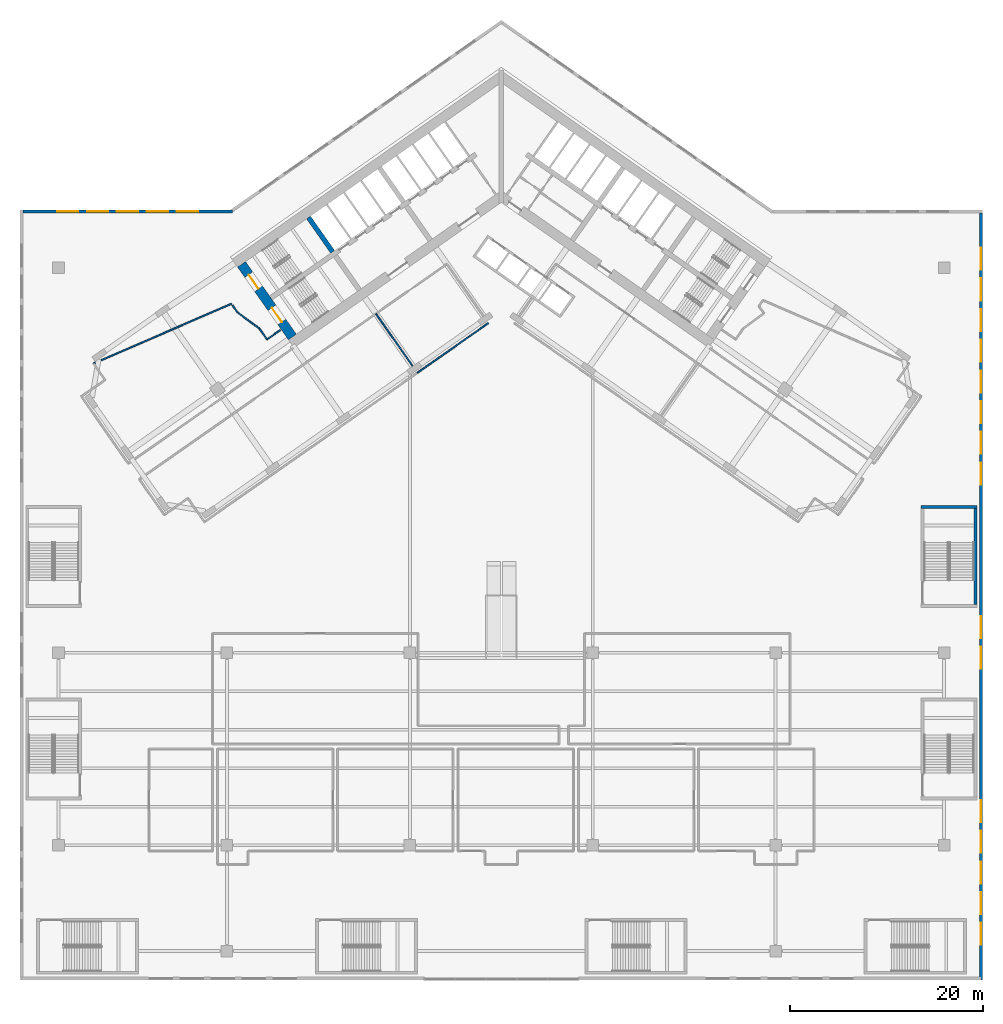
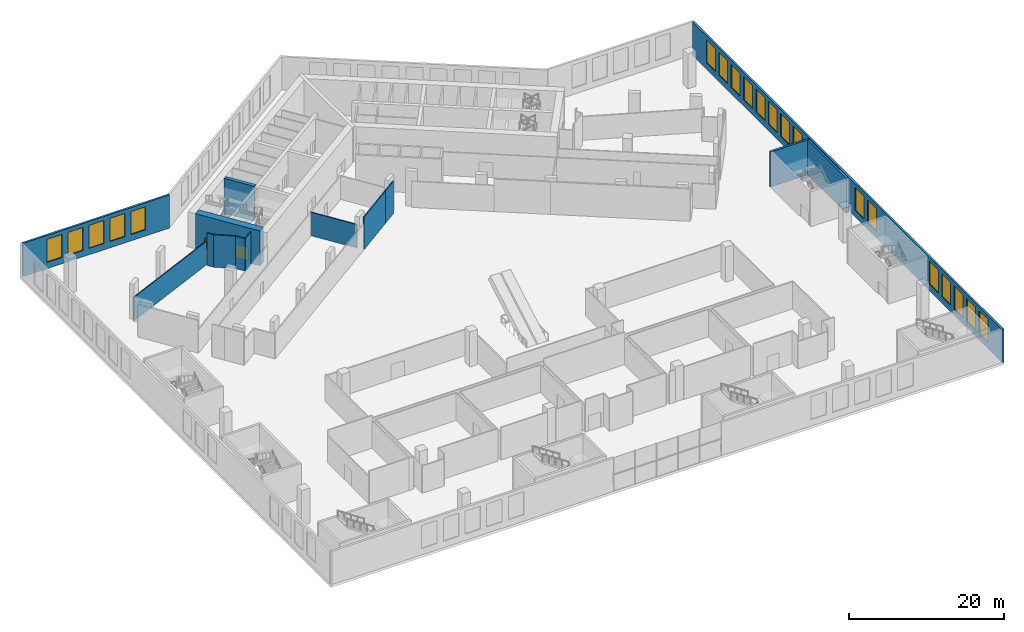
# One storey, part 9 of 26: 20 windows, 14 walls, 2 doors, 22 openings.
"""IFC4 building model written with IfcOpenShell, lengths in metres."""

from ifc_helpers import new_model, si_unit, direction, frame, frame_2d, origin, place, context, subcontext, project, spatial, polyline, rectangle, outline, extrude, material, layer, layer_set, type_object, element, fill, save


model = new_model("IFC4")

# Units and contexts
model_context = context("Model", 3, precision=1e-05, world=origin(), true_north=direction((0.0, 1.0)))
body_context = subcontext(model_context, "Body", "Model", "MODEL_VIEW")
ifc_project = project(units=[si_unit("LENGTHUNIT", "METRE"), si_unit("AREAUNIT", "SQUARE_METRE"), si_unit("VOLUMEUNIT", "CUBIC_METRE"), si_unit("PLANEANGLEUNIT", "RADIAN"), si_unit("MASSUNIT", "GRAM", prefix="KILO")], contexts=[model_context])

# Site, building, storey
site_placement = place(None, origin())
site = spatial("IfcSite", under=ifc_project, at=site_placement, CompositionType="ELEMENT")
building_placement = place(site_placement, origin())
building = spatial("IfcBuilding", under=site, at=building_placement, Name="Tel Ilan Convention Tower", CompositionType="ELEMENT")
storey_placement = place(building_placement, frame((0.0, 0.0, 32.0)))
storey = spatial("IfcBuildingStorey", under=building, at=storey_placement, Name="L04", CompositionType="ELEMENT", Elevation=32.0)

# Wall, openings, doors
ifc_material_1 = material(Name="Concrete C60/75", Category="concrete")
ifc_layer_1 = layer(ifc_material_1, 1.0)
ifc_layer_set_1 = layer_set([ifc_layer_1], Name="Core Shear Wall 1000 mm C60/75")
wall_type_1 = type_object("IfcWallType", Name="Core Shear Wall 1000 mm C60/75", PredefinedType="SHEAR", material=ifc_layer_set_1)
wall_1_placement = place(storey_placement, frame((-21.70751953125, -15.19970703125, 0.0), z_axis=(0.0, 0.0, 1.0), x_axis=(-0.573576324356, 0.819152122709, 0.0)))
wall_1 = element("IfcWall", 1, at=wall_1_placement, inside=storey, type_object=wall_type_1, Name="L04 core wall W-end", PredefinedType="SHEAR", context=body_context, shape_type="SweptSolid", body=[
    extrude(outline(polyline([(0.0, 0.5), (0.0, -0.5), (9.199951171875, -0.5), (9.199951171875, 0.5), (0.0, 0.5)])), origin(), (0.0, 0.0, 1.0), 5.5),
])
opening_1_placement = place(wall_1_placement, frame((6.10009765625, 0.0, 0.0)))
opening_1 = element("IfcOpeningElement", 2, at=opening_1_placement, cuts=wall_1, Name="Opening SD0701", PredefinedType="OPENING", context=body_context, shape_type="SweptSolid", body=[
    extrude(rectangle(XDim=1.800048828125, YDim=2.10009765625, at=frame_2d((0.89990234375, 1.050048828125))), frame((0.0, 0.510009765625, 0.0), z_axis=(0.0, -1.0, 0.0), x_axis=(1.0, 0.0, 0.0)), (0.0, 0.0, 1.0), 1.02001953125),
])
opening_2_placement = place(wall_1_placement, frame((1.89990234375, 0.0, 0.0)))
opening_2 = element("IfcOpeningElement", 3, at=opening_2_placement, cuts=wall_1, Name="Opening SD0702", PredefinedType="OPENING", context=body_context, shape_type="SweptSolid", body=[
    extrude(rectangle(XDim=1.800048828125, YDim=2.10009765625, at=frame_2d((0.89990234375, 1.050048828125))), frame((0.0, 0.510009765625, 0.0), z_axis=(0.0, -1.0, 0.0), x_axis=(1.0, 0.0, 0.0)), (0.0, 0.0, 1.0), 1.02001953125),
])
ifc_material_2 = material(Name="Galvanised Steel Door Leaf", Category="steel")
door_type = type_object("IfcDoorType", Name="Stair Fire Door 1800 x 2100 FD60S", OperationType="NOTDEFINED", PredefinedType="DOOR", material=ifc_material_2)
door_1_placement = place(opening_1_placement, origin())
door_1 = element("IfcDoor", 4, at=door_1_placement, inside=storey, type_object=door_type, Name="Stair S1 door", OperationType="DOUBLE_DOOR_SINGLE_SWING", OverallHeight=2.10009765625, OverallWidth=1.800048828125, PredefinedType="DOOR", context=body_context, shape_type="SweptSolid", body=[
    extrude(rectangle(XDim=1.800048828125, YDim=2.10009765625, at=frame_2d((0.89990234375, 1.050048828125))), frame((0.0, 0.02490234375, 0.0), z_axis=(0.0, -1.0, 0.0), x_axis=(1.0, 0.0, 0.0)), (0.0, 0.0, 1.0), 0.050048828125),
])
fill(opening_1, door_1)
door_2_placement = place(opening_2_placement, origin())
door_2 = element("IfcDoor", 5, at=door_2_placement, inside=storey, type_object=door_type, Name="Stair S2 door", OperationType="DOUBLE_DOOR_SINGLE_SWING", OverallHeight=2.10009765625, OverallWidth=1.800048828125, PredefinedType="DOOR", context=body_context, shape_type="SweptSolid", body=[
    extrude(rectangle(XDim=1.800048828125, YDim=2.10009765625, at=frame_2d((0.89990234375, 1.050048828125))), frame((0.0, 0.02490234375, 0.0), z_axis=(0.0, -1.0, 0.0), x_axis=(1.0, 0.0, 0.0)), (0.0, 0.0, 1.0), 0.050048828125),
])
fill(opening_2, door_2)

# Walls
ifc_material_3 = material(Name="Concrete C60/75", Category="concrete")
ifc_layer_2 = layer(ifc_material_3, 0.5)
ifc_layer_set_2 = layer_set([ifc_layer_2], Name="Core Shear Wall 500 mm C60/75")
wall_type_2 = type_object("IfcWallType", Name="Core Shear Wall 500 mm C60/75", PredefinedType="SHEAR", material=ifc_layer_set_2)
wall_2_placement = place(storey_placement, frame((-17.526611328125, -6.3515625, 0.0), z_axis=(0.0, 0.0, 1.0), x_axis=(-0.573530143085, 0.819184457233, 0.0)))
element("IfcWall", 6, at=wall_2_placement, inside=storey, type_object=wall_type_2, Name="L04 core wall W-cross2-2", PredefinedType="SHEAR", context=body_context, shape_type="SweptSolid", body=[
    extrude(outline(polyline([(4.35009765625, -0.249755859375), (4.35009765625, 0.250244140625), (0.0, 0.25), (0.0, -0.25), (4.35009765625, -0.249755859375)])), origin(), (0.0, 0.0, 1.0), 5.5),
])
ifc_material_4 = material(Name="Plasterboard on Steel Studs", Category="steel")
ifc_layer_3 = layer(ifc_material_4, 0.14990234375)
ifc_layer_set_3 = layer_set([ifc_layer_3], Name="Fire-rated Partition 150 EI 60")
wall_type_3 = type_object("IfcWallType", Name="Fire-rated Partition 150 EI 60", PredefinedType="PARTITIONING", material=ifc_layer_set_3)
wall_3_placement = place(storey_placement, frame((-8.722900390625, -18.92724609375, 0.0), z_axis=(0.0, 0.0, 1.0), x_axis=(0.81913387212, 0.573602388024, 0.0)))
element("IfcWall", 7, at=wall_3_placement, inside=storey, type_object=wall_type_3, Name="Partition 054", PredefinedType="PARTITIONING", context=body_context, shape_type="SweptSolid", body=[
    extrude(rectangle(XDim=6.5517578125, YDim=0.14990234375, at=frame_2d((3.27587890625, 0.0))), origin(), (0.0, 0.0, 1.0), 5.10009765625),
])
wall_4_placement = place(storey_placement, frame((-3.355224609375, -15.168701171875, 0.0), z_axis=(0.0, 0.0, 1.0), x_axis=(0.819157023945, 0.573569324599, 0.0)))
element("IfcWall", 8, at=wall_4_placement, inside=storey, type_object=wall_type_3, Name="Partition 082", PredefinedType="PARTITIONING", context=body_context, shape_type="SweptSolid", body=[
    extrude(rectangle(XDim=2.450439453125, YDim=0.14990234375, at=frame_2d((1.22509765625, 0.0))), origin(), (0.0, 0.0, 1.0), 5.10009765625),
])
wall_5_placement = place(storey_placement, frame((-28.0263671875, -11.751220703125, 0.0), z_axis=(0.0, 0.0, 1.0), x_axis=(-0.91753357696, -0.397658314577, 0.0)))
element("IfcWall", 9, at=wall_5_placement, inside=storey, type_object=wall_type_3, Name="Partition 088", PredefinedType="PARTITIONING", context=body_context, shape_type="SweptSolid", body=[
    extrude(rectangle(XDim=15.621337890625, YDim=0.14990234375, at=frame_2d((7.810546875, 0.0))), origin(), (0.0, 0.0, 1.0), 3.679931640625),
])
wall_6_placement = place(storey_placement, frame((-22.961181640625, -14.490478515625, 0.0), z_axis=(0.0, 0.0, 1.0), x_axis=(-0.819109000826, -0.573637903879, 0.0)))
element("IfcWall", 10, at=wall_6_placement, inside=storey, type_object=wall_type_3, Name="Partition 089", PredefinedType="PARTITIONING", context=body_context, shape_type="SweptSolid", body=[
    extrude(rectangle(XDim=1.679931640625, YDim=0.14990234375, at=frame_2d((0.83984375, 0.0))), origin(), (0.0, 0.0, 1.0), 5.10009765625),
])
wall_7_placement = place(storey_placement, frame((-24.337158203125, -15.4541015625, 0.0), z_axis=(0.0, 0.0, 1.0), x_axis=(-0.573571252353, 0.819155674139, 0.0)))
element("IfcWall", 11, at=wall_7_placement, inside=storey, type_object=wall_type_3, Name="Partition 090", PredefinedType="PARTITIONING", context=body_context, shape_type="SweptSolid", body=[
    extrude(rectangle(XDim=1.35400390625, YDim=0.14990234375, at=frame_2d((0.677001953125, 0.0))), origin(), (0.0, 0.0, 1.0), 5.10009765625),
])
wall_8_placement = place(storey_placement, frame((-25.11376953125, -14.344970703125, 0.0), z_axis=(0.0, 0.0, 1.0), x_axis=(-0.803169525988, 0.59575054555, 0.0)))
element("IfcWall", 12, at=wall_8_placement, inside=storey, type_object=wall_type_3, Name="Partition 091", PredefinedType="PARTITIONING", context=body_context, shape_type="SweptSolid", body=[
    extrude(rectangle(XDim=2.84619140625, YDim=0.14990234375, at=frame_2d((1.423095703125, 0.0))), origin(), (0.0, 0.0, 1.0), 5.10009765625),
])
wall_9_placement = place(storey_placement, frame((-27.399658203125, -12.6494140625, 0.0), z_axis=(0.0, 0.0, 1.0), x_axis=(-0.573713979357, 0.819055718428, 0.0)))
element("IfcWall", 13, at=wall_9_placement, inside=storey, type_object=wall_type_3, Name="Partition 092", PredefinedType="PARTITIONING", context=body_context, shape_type="SweptSolid", body=[
    extrude(rectangle(XDim=0.91162109375, YDim=0.14990234375, at=frame_2d((0.455810546875, 0.0))), origin(), (0.0, 0.0, 1.0), 5.10009765625),
])
wall_10_placement = place(storey_placement, frame((-9.22119140625, -18.212890625, 0.0), z_axis=(0.0, 0.0, 1.0), x_axis=(-0.573556251799, 0.819166177294, 0.0)))
element("IfcWall", 14, at=wall_10_placement, inside=storey, type_object=wall_type_3, Name="Partition 093", PredefinedType="PARTITIONING", context=body_context, shape_type="SweptSolid", body=[
    extrude(rectangle(XDim=6.630126953125, YDim=0.14990234375, at=frame_2d((3.31494140625, 0.0))), origin(), (0.0, 0.0, 1.0), 3.679931640625),
])

# Wall, openings, windows
ifc_material_5 = material(Name="Bronze aluminium cladding panel on insulated steel frame", Category="steel")
ifc_layer_4 = layer(ifc_material_5, 0.300048828125)
ifc_layer_set_4 = layer_set([ifc_layer_4], Name="PODIUM CLADDING WALL 300")
wall_type_4 = type_object("IfcWallType", Name="PODIUM CLADDING WALL 300", PredefinedType="SOLIDWALL", material=ifc_layer_set_4)
wall_11_placement = place(storey_placement, frame((-49.699951171875, -2.14990234375, 0.0), z_axis=(0.0, 0.0, 1.0), x_axis=(1.0, 0.0, 0.0)))
wall_11 = element("IfcWall", 15, at=wall_11_placement, inside=storey, type_object=wall_type_4, Name="Podium cladding wall", PredefinedType="SOLIDWALL", context=body_context, shape_type="SweptSolid", body=[
    extrude(rectangle(XDim=21.760986328125, YDim=0.300048828125, at=frame_2d((10.88037109375, 0.0))), origin(), (0.0, 0.0, 1.0), 5.219970703125),
])
opening_3_placement = place(wall_11_placement, frame((3.558837890625, 0.0, 1.0)))
opening_3 = element("IfcOpeningElement", 16, at=opening_3_placement, cuts=wall_11, Name="Opening W-07.026", PredefinedType="OPENING", context=body_context, shape_type="SweptSolid", body=[
    extrude(rectangle(XDim=2.208740234375, YDim=3.6201171875, at=frame_2d((1.1044921875, 1.81005859375))), frame((0.0, 0.159912109375, 0.0), z_axis=(0.0, -1.0, 0.0), x_axis=(1.0, 0.0, 0.0)), (0.0, 0.0, 1.0), 0.320068359375),
])
opening_4_placement = place(wall_11_placement, frame((6.66748046875, 0.0, 1.0)))
opening_4 = element("IfcOpeningElement", 17, at=opening_4_placement, cuts=wall_11, Name="Opening W-07.027", PredefinedType="OPENING", context=body_context, shape_type="SweptSolid", body=[
    extrude(rectangle(XDim=2.208740234375, YDim=3.6201171875, at=frame_2d((1.1044921875, 1.81005859375))), frame((0.0, 0.159912109375, 0.0), z_axis=(0.0, -1.0, 0.0), x_axis=(1.0, 0.0, 0.0)), (0.0, 0.0, 1.0), 0.320068359375),
])
opening_5_placement = place(wall_11_placement, frame((9.776123046875, 0.0, 1.0)))
opening_5 = element("IfcOpeningElement", 18, at=opening_5_placement, cuts=wall_11, Name="Opening W-07.028", PredefinedType="OPENING", context=body_context, shape_type="SweptSolid", body=[
    extrude(rectangle(XDim=2.208740234375, YDim=3.6201171875, at=frame_2d((1.1044921875, 1.81005859375))), frame((0.0, 0.159912109375, 0.0), z_axis=(0.0, -1.0, 0.0), x_axis=(1.0, 0.0, 0.0)), (0.0, 0.0, 1.0), 0.320068359375),
])
opening_6_placement = place(wall_11_placement, frame((12.884765625, 0.0, 1.0)))
opening_6 = element("IfcOpeningElement", 19, at=opening_6_placement, cuts=wall_11, Name="Opening W-07.029", PredefinedType="OPENING", context=body_context, shape_type="SweptSolid", body=[
    extrude(rectangle(XDim=2.208740234375, YDim=3.6201171875, at=frame_2d((1.1044921875, 1.81005859375))), frame((0.0, 0.159912109375, 0.0), z_axis=(0.0, -1.0, 0.0), x_axis=(1.0, 0.0, 0.0)), (0.0, 0.0, 1.0), 0.320068359375),
])
opening_7_placement = place(wall_11_placement, frame((15.99365234375, 0.0, 1.0)))
opening_7 = element("IfcOpeningElement", 20, at=opening_7_placement, cuts=wall_11, Name="Opening W-07.030", PredefinedType="OPENING", context=body_context, shape_type="SweptSolid", body=[
    extrude(rectangle(XDim=2.208740234375, YDim=3.6201171875, at=frame_2d((1.1044921875, 1.81005859375))), frame((0.0, 0.159912109375, 0.0), z_axis=(0.0, -1.0, 0.0), x_axis=(1.0, 0.0, 0.0)), (0.0, 0.0, 1.0), 0.320068359375),
])
ifc_material_6 = material(Name="Aluminium framed glazing, bronze anodised, tinted glass", Category="aluminium")
window_type_1 = type_object("IfcWindowType", Name="PODIUM WINDOW 2209x3620", PartitioningType="SINGLE_PANEL", PredefinedType="WINDOW", material=ifc_material_6)
window_1_placement = place(opening_3_placement, origin())
window_1 = element("IfcWindow", 21, at=window_1_placement, inside=storey, type_object=window_type_1, Name="Podium window", OverallHeight=3.6201171875, OverallWidth=2.208740234375, PartitioningType="SINGLE_PANEL", PredefinedType="WINDOW", context=body_context, shape_type="SweptSolid", body=[
    extrude(rectangle(XDim=2.208740234375, YDim=3.6201171875, at=frame_2d((1.1044921875, 1.81005859375))), frame((0.0, 0.030029296875, 0.0), z_axis=(0.0, -1.0, 0.0), x_axis=(1.0, 0.0, 0.0)), (0.0, 0.0, 1.0), 0.06005859375),
])
fill(opening_3, window_1)
window_2_placement = place(opening_4_placement, origin())
window_2 = element("IfcWindow", 22, at=window_2_placement, inside=storey, type_object=window_type_1, Name="Podium window", OverallHeight=3.6201171875, OverallWidth=2.208740234375, PartitioningType="SINGLE_PANEL", PredefinedType="WINDOW", context=body_context, shape_type="SweptSolid", body=[
    extrude(rectangle(XDim=2.208740234375, YDim=3.6201171875, at=frame_2d((1.1044921875, 1.81005859375))), frame((0.0, 0.030029296875, 0.0), z_axis=(0.0, -1.0, 0.0), x_axis=(1.0, 0.0, 0.0)), (0.0, 0.0, 1.0), 0.06005859375),
])
fill(opening_4, window_2)
window_3_placement = place(opening_5_placement, origin())
window_3 = element("IfcWindow", 23, at=window_3_placement, inside=storey, type_object=window_type_1, Name="Podium window", OverallHeight=3.6201171875, OverallWidth=2.208740234375, PartitioningType="SINGLE_PANEL", PredefinedType="WINDOW", context=body_context, shape_type="SweptSolid", body=[
    extrude(rectangle(XDim=2.208740234375, YDim=3.6201171875, at=frame_2d((1.1044921875, 1.81005859375))), frame((0.0, 0.030029296875, 0.0), z_axis=(0.0, -1.0, 0.0), x_axis=(1.0, 0.0, 0.0)), (0.0, 0.0, 1.0), 0.06005859375),
])
fill(opening_5, window_3)
window_4_placement = place(opening_6_placement, origin())
window_4 = element("IfcWindow", 24, at=window_4_placement, inside=storey, type_object=window_type_1, Name="Podium window", OverallHeight=3.6201171875, OverallWidth=2.208740234375, PartitioningType="SINGLE_PANEL", PredefinedType="WINDOW", context=body_context, shape_type="SweptSolid", body=[
    extrude(rectangle(XDim=2.208740234375, YDim=3.6201171875, at=frame_2d((1.1044921875, 1.81005859375))), frame((0.0, 0.030029296875, 0.0), z_axis=(0.0, -1.0, 0.0), x_axis=(1.0, 0.0, 0.0)), (0.0, 0.0, 1.0), 0.06005859375),
])
fill(opening_6, window_4)
window_5_placement = place(opening_7_placement, origin())
window_5 = element("IfcWindow", 25, at=window_5_placement, inside=storey, type_object=window_type_1, Name="Podium window", OverallHeight=3.6201171875, OverallWidth=2.208740234375, PartitioningType="SINGLE_PANEL", PredefinedType="WINDOW", context=body_context, shape_type="SweptSolid", body=[
    extrude(rectangle(XDim=2.208740234375, YDim=3.6201171875, at=frame_2d((1.1044921875, 1.81005859375))), frame((0.0, 0.030029296875, 0.0), z_axis=(0.0, -1.0, 0.0), x_axis=(1.0, 0.0, 0.0)), (0.0, 0.0, 1.0), 0.06005859375),
])
fill(opening_7, window_5)

wall_12_placement = place(storey_placement, frame((49.85009765625, -2.300048828125, 0.0), z_axis=(0.0, 0.0, 1.0), x_axis=(0.0, -1.0, 0.0)))
wall_12 = element("IfcWall", 26, at=wall_12_placement, inside=storey, type_object=wall_type_4, Name="Podium cladding wall", PredefinedType="SOLIDWALL", context=body_context, shape_type="SweptSolid", body=[
    extrude(rectangle(XDim=79.699951171875, YDim=0.300048828125, at=frame_2d((39.85009765625, 0.0))), origin(), (0.0, 0.0, 1.0), 5.219970703125),
])
opening_8_placement = place(wall_12_placement, frame((3.637939453125, 0.0, 1.0)))
opening_8 = element("IfcOpeningElement", 27, at=opening_8_placement, cuts=wall_12, Name="Opening W-07.054", PredefinedType="OPENING", context=body_context, shape_type="SweptSolid", body=[
    extrude(rectangle(XDim=2.2880859375, YDim=3.6201171875, at=frame_2d((1.14404296875, 1.81005859375))), frame((0.0, 0.159912109375, 0.0), z_axis=(0.0, -1.0, 0.0), x_axis=(1.0, 0.0, 0.0)), (0.0, 0.0, 1.0), 0.320068359375),
])
opening_9_placement = place(wall_12_placement, frame((6.825927734375, 0.0, 1.0)))
opening_9 = element("IfcOpeningElement", 28, at=opening_9_placement, cuts=wall_12, Name="Opening W-07.055", PredefinedType="OPENING", context=body_context, shape_type="SweptSolid", body=[
    extrude(rectangle(XDim=2.2880859375, YDim=3.6201171875, at=frame_2d((1.14404296875, 1.81005859375))), frame((0.0, 0.159912109375, 0.0), z_axis=(0.0, -1.0, 0.0), x_axis=(1.0, 0.0, 0.0)), (0.0, 0.0, 1.0), 0.320068359375),
])
opening_10_placement = place(wall_12_placement, frame((10.013916015625, 0.0, 1.0)))
opening_10 = element("IfcOpeningElement", 29, at=opening_10_placement, cuts=wall_12, Name="Opening W-07.056", PredefinedType="OPENING", context=body_context, shape_type="SweptSolid", body=[
    extrude(rectangle(XDim=2.2880859375, YDim=3.6201171875, at=frame_2d((1.14404296875, 1.81005859375))), frame((0.0, 0.159912109375, 0.0), z_axis=(0.0, -1.0, 0.0), x_axis=(1.0, 0.0, 0.0)), (0.0, 0.0, 1.0), 0.320068359375),
])
opening_11_placement = place(wall_12_placement, frame((13.201904296875, 0.0, 1.0)))
opening_11 = element("IfcOpeningElement", 30, at=opening_11_placement, cuts=wall_12, Name="Opening W-07.057", PredefinedType="OPENING", context=body_context, shape_type="SweptSolid", body=[
    extrude(rectangle(XDim=2.2880859375, YDim=3.6201171875, at=frame_2d((1.14404296875, 1.81005859375))), frame((0.0, 0.159912109375, 0.0), z_axis=(0.0, -1.0, 0.0), x_axis=(1.0, 0.0, 0.0)), (0.0, 0.0, 1.0), 0.320068359375),
])
opening_12_placement = place(wall_12_placement, frame((16.389892578125, 0.0, 1.0)))
opening_12 = element("IfcOpeningElement", 31, at=opening_12_placement, cuts=wall_12, Name="Opening W-07.058", PredefinedType="OPENING", context=body_context, shape_type="SweptSolid", body=[
    extrude(rectangle(XDim=2.2880859375, YDim=3.6201171875, at=frame_2d((1.14404296875, 1.81005859375))), frame((0.0, 0.159912109375, 0.0), z_axis=(0.0, -1.0, 0.0), x_axis=(1.0, 0.0, 0.0)), (0.0, 0.0, 1.0), 0.320068359375),
])
opening_13_placement = place(wall_12_placement, frame((19.577880859375, 0.0, 1.0)))
opening_13 = element("IfcOpeningElement", 32, at=opening_13_placement, cuts=wall_12, Name="Opening W-07.059", PredefinedType="OPENING", context=body_context, shape_type="SweptSolid", body=[
    extrude(rectangle(XDim=2.2880859375, YDim=3.6201171875, at=frame_2d((1.14404296875, 1.81005859375))), frame((0.0, 0.159912109375, 0.0), z_axis=(0.0, -1.0, 0.0), x_axis=(1.0, 0.0, 0.0)), (0.0, 0.0, 1.0), 0.320068359375),
])
opening_14_placement = place(wall_12_placement, frame((22.76611328125, 0.0, 1.0)))
opening_14 = element("IfcOpeningElement", 33, at=opening_14_placement, cuts=wall_12, Name="Opening W-07.060", PredefinedType="OPENING", context=body_context, shape_type="SweptSolid", body=[
    extrude(rectangle(XDim=2.2880859375, YDim=3.6201171875, at=frame_2d((1.14404296875, 1.81005859375))), frame((0.0, 0.159912109375, 0.0), z_axis=(0.0, -1.0, 0.0), x_axis=(1.0, 0.0, 0.0)), (0.0, 0.0, 1.0), 0.320068359375),
])
opening_15_placement = place(wall_12_placement, frame((25.9541015625, 0.0, 1.0)))
opening_15 = element("IfcOpeningElement", 34, at=opening_15_placement, cuts=wall_12, Name="Opening W-07.061", PredefinedType="OPENING", context=body_context, shape_type="SweptSolid", body=[
    extrude(rectangle(XDim=2.2880859375, YDim=3.6201171875, at=frame_2d((1.14404296875, 1.81005859375))), frame((0.0, 0.159912109375, 0.0), z_axis=(0.0, -1.0, 0.0), x_axis=(1.0, 0.0, 0.0)), (0.0, 0.0, 1.0), 0.320068359375),
])
opening_16_placement = place(wall_12_placement, frame((41.89404296875, 0.0, 1.0)))
opening_16 = element("IfcOpeningElement", 35, at=opening_16_placement, cuts=wall_12, Name="Opening W-07.062", PredefinedType="OPENING", context=body_context, shape_type="SweptSolid", body=[
    extrude(rectangle(XDim=2.2880859375, YDim=3.6201171875, at=frame_2d((1.14404296875, 1.81005859375))), frame((0.0, 0.159912109375, 0.0), z_axis=(0.0, -1.0, 0.0), x_axis=(1.0, 0.0, 0.0)), (0.0, 0.0, 1.0), 0.320068359375),
])
opening_17_placement = place(wall_12_placement, frame((45.08203125, 0.0, 1.0)))
opening_17 = element("IfcOpeningElement", 36, at=opening_17_placement, cuts=wall_12, Name="Opening W-07.063", PredefinedType="OPENING", context=body_context, shape_type="SweptSolid", body=[
    extrude(rectangle(XDim=2.2880859375, YDim=3.6201171875, at=frame_2d((1.14404296875, 1.81005859375))), frame((0.0, 0.159912109375, 0.0), z_axis=(0.0, -1.0, 0.0), x_axis=(1.0, 0.0, 0.0)), (0.0, 0.0, 1.0), 0.320068359375),
])
opening_18_placement = place(wall_12_placement, frame((61.02197265625, 0.0, 1.0)))
opening_18 = element("IfcOpeningElement", 37, at=opening_18_placement, cuts=wall_12, Name="Opening W-07.064", PredefinedType="OPENING", context=body_context, shape_type="SweptSolid", body=[
    extrude(rectangle(XDim=2.2880859375, YDim=3.6201171875, at=frame_2d((1.14404296875, 1.81005859375))), frame((0.0, 0.159912109375, 0.0), z_axis=(0.0, -1.0, 0.0), x_axis=(1.0, 0.0, 0.0)), (0.0, 0.0, 1.0), 0.320068359375),
])
opening_19_placement = place(wall_12_placement, frame((64.2099609375, 0.0, 1.0)))
opening_19 = element("IfcOpeningElement", 38, at=opening_19_placement, cuts=wall_12, Name="Opening W-07.065", PredefinedType="OPENING", context=body_context, shape_type="SweptSolid", body=[
    extrude(rectangle(XDim=2.2880859375, YDim=3.6201171875, at=frame_2d((1.14404296875, 1.81005859375))), frame((0.0, 0.159912109375, 0.0), z_axis=(0.0, -1.0, 0.0), x_axis=(1.0, 0.0, 0.0)), (0.0, 0.0, 1.0), 0.320068359375),
])
opening_20_placement = place(wall_12_placement, frame((67.39794921875, 0.0, 1.0)))
opening_20 = element("IfcOpeningElement", 39, at=opening_20_placement, cuts=wall_12, Name="Opening W-07.066", PredefinedType="OPENING", context=body_context, shape_type="SweptSolid", body=[
    extrude(rectangle(XDim=2.2880859375, YDim=3.6201171875, at=frame_2d((1.14404296875, 1.81005859375))), frame((0.0, 0.159912109375, 0.0), z_axis=(0.0, -1.0, 0.0), x_axis=(1.0, 0.0, 0.0)), (0.0, 0.0, 1.0), 0.320068359375),
])
opening_21_placement = place(wall_12_placement, frame((70.5859375, 0.0, 1.0)))
opening_21 = element("IfcOpeningElement", 40, at=opening_21_placement, cuts=wall_12, Name="Opening W-07.067", PredefinedType="OPENING", context=body_context, shape_type="SweptSolid", body=[
    extrude(rectangle(XDim=2.2880859375, YDim=3.6201171875, at=frame_2d((1.14404296875, 1.81005859375))), frame((0.0, 0.159912109375, 0.0), z_axis=(0.0, -1.0, 0.0), x_axis=(1.0, 0.0, 0.0)), (0.0, 0.0, 1.0), 0.320068359375),
])
opening_22_placement = place(wall_12_placement, frame((73.77392578125, 0.0, 1.0)))
opening_22 = element("IfcOpeningElement", 41, at=opening_22_placement, cuts=wall_12, Name="Opening W-07.068", PredefinedType="OPENING", context=body_context, shape_type="SweptSolid", body=[
    extrude(rectangle(XDim=2.2880859375, YDim=3.6201171875, at=frame_2d((1.14404296875, 1.81005859375))), frame((0.0, 0.159912109375, 0.0), z_axis=(0.0, -1.0, 0.0), x_axis=(1.0, 0.0, 0.0)), (0.0, 0.0, 1.0), 0.320068359375),
])
ifc_material_7 = material(Name="Aluminium framed glazing, bronze anodised, tinted glass", Category="aluminium")
window_type_2 = type_object("IfcWindowType", Name="PODIUM WINDOW 2288x3620", PartitioningType="SINGLE_PANEL", PredefinedType="WINDOW", material=ifc_material_7)
window_6_placement = place(opening_8_placement, origin())
window_6 = element("IfcWindow", 42, at=window_6_placement, inside=storey, type_object=window_type_2, Name="Podium window", OverallHeight=3.6201171875, OverallWidth=2.2880859375, PartitioningType="SINGLE_PANEL", PredefinedType="WINDOW", context=body_context, shape_type="SweptSolid", body=[
    extrude(rectangle(XDim=2.2880859375, YDim=3.6201171875, at=frame_2d((1.14404296875, 1.81005859375))), frame((0.0, 0.030029296875, 0.0), z_axis=(0.0, -1.0, 0.0), x_axis=(1.0, 0.0, 0.0)), (0.0, 0.0, 1.0), 0.06005859375),
])
fill(opening_8, window_6)
window_7_placement = place(opening_9_placement, origin())
window_7 = element("IfcWindow", 43, at=window_7_placement, inside=storey, type_object=window_type_2, Name="Podium window", OverallHeight=3.6201171875, OverallWidth=2.2880859375, PartitioningType="SINGLE_PANEL", PredefinedType="WINDOW", context=body_context, shape_type="SweptSolid", body=[
    extrude(rectangle(XDim=2.2880859375, YDim=3.6201171875, at=frame_2d((1.14404296875, 1.81005859375))), frame((0.0, 0.030029296875, 0.0), z_axis=(0.0, -1.0, 0.0), x_axis=(1.0, 0.0, 0.0)), (0.0, 0.0, 1.0), 0.06005859375),
])
fill(opening_9, window_7)
window_8_placement = place(opening_10_placement, origin())
window_8 = element("IfcWindow", 44, at=window_8_placement, inside=storey, type_object=window_type_2, Name="Podium window", OverallHeight=3.6201171875, OverallWidth=2.2880859375, PartitioningType="SINGLE_PANEL", PredefinedType="WINDOW", context=body_context, shape_type="SweptSolid", body=[
    extrude(rectangle(XDim=2.2880859375, YDim=3.6201171875, at=frame_2d((1.14404296875, 1.81005859375))), frame((0.0, 0.030029296875, 0.0), z_axis=(0.0, -1.0, 0.0), x_axis=(1.0, 0.0, 0.0)), (0.0, 0.0, 1.0), 0.06005859375),
])
fill(opening_10, window_8)
window_9_placement = place(opening_11_placement, origin())
window_9 = element("IfcWindow", 45, at=window_9_placement, inside=storey, type_object=window_type_2, Name="Podium window", OverallHeight=3.6201171875, OverallWidth=2.2880859375, PartitioningType="SINGLE_PANEL", PredefinedType="WINDOW", context=body_context, shape_type="SweptSolid", body=[
    extrude(rectangle(XDim=2.2880859375, YDim=3.6201171875, at=frame_2d((1.14404296875, 1.81005859375))), frame((0.0, 0.030029296875, 0.0), z_axis=(0.0, -1.0, 0.0), x_axis=(1.0, 0.0, 0.0)), (0.0, 0.0, 1.0), 0.06005859375),
])
fill(opening_11, window_9)
window_10_placement = place(opening_12_placement, origin())
window_10 = element("IfcWindow", 46, at=window_10_placement, inside=storey, type_object=window_type_2, Name="Podium window", OverallHeight=3.6201171875, OverallWidth=2.2880859375, PartitioningType="SINGLE_PANEL", PredefinedType="WINDOW", context=body_context, shape_type="SweptSolid", body=[
    extrude(rectangle(XDim=2.2880859375, YDim=3.6201171875, at=frame_2d((1.14404296875, 1.81005859375))), frame((0.0, 0.030029296875, 0.0), z_axis=(0.0, -1.0, 0.0), x_axis=(1.0, 0.0, 0.0)), (0.0, 0.0, 1.0), 0.06005859375),
])
fill(opening_12, window_10)
window_11_placement = place(opening_13_placement, origin())
window_11 = element("IfcWindow", 47, at=window_11_placement, inside=storey, type_object=window_type_2, Name="Podium window", OverallHeight=3.6201171875, OverallWidth=2.2880859375, PartitioningType="SINGLE_PANEL", PredefinedType="WINDOW", context=body_context, shape_type="SweptSolid", body=[
    extrude(rectangle(XDim=2.2880859375, YDim=3.6201171875, at=frame_2d((1.14404296875, 1.81005859375))), frame((0.0, 0.030029296875, 0.0), z_axis=(0.0, -1.0, 0.0), x_axis=(1.0, 0.0, 0.0)), (0.0, 0.0, 1.0), 0.06005859375),
])
fill(opening_13, window_11)
window_12_placement = place(opening_14_placement, origin())
window_12 = element("IfcWindow", 48, at=window_12_placement, inside=storey, type_object=window_type_2, Name="Podium window", OverallHeight=3.6201171875, OverallWidth=2.2880859375, PartitioningType="SINGLE_PANEL", PredefinedType="WINDOW", context=body_context, shape_type="SweptSolid", body=[
    extrude(rectangle(XDim=2.2880859375, YDim=3.6201171875, at=frame_2d((1.14404296875, 1.81005859375))), frame((0.0, 0.030029296875, 0.0), z_axis=(0.0, -1.0, 0.0), x_axis=(1.0, 0.0, 0.0)), (0.0, 0.0, 1.0), 0.06005859375),
])
fill(opening_14, window_12)
window_13_placement = place(opening_15_placement, origin())
window_13 = element("IfcWindow", 49, at=window_13_placement, inside=storey, type_object=window_type_2, Name="Podium window", OverallHeight=3.6201171875, OverallWidth=2.2880859375, PartitioningType="SINGLE_PANEL", PredefinedType="WINDOW", context=body_context, shape_type="SweptSolid", body=[
    extrude(rectangle(XDim=2.2880859375, YDim=3.6201171875, at=frame_2d((1.14404296875, 1.81005859375))), frame((0.0, 0.030029296875, 0.0), z_axis=(0.0, -1.0, 0.0), x_axis=(1.0, 0.0, 0.0)), (0.0, 0.0, 1.0), 0.06005859375),
])
fill(opening_15, window_13)
window_14_placement = place(opening_16_placement, origin())
window_14 = element("IfcWindow", 50, at=window_14_placement, inside=storey, type_object=window_type_2, Name="Podium window", OverallHeight=3.6201171875, OverallWidth=2.2880859375, PartitioningType="SINGLE_PANEL", PredefinedType="WINDOW", context=body_context, shape_type="SweptSolid", body=[
    extrude(rectangle(XDim=2.2880859375, YDim=3.6201171875, at=frame_2d((1.14404296875, 1.81005859375))), frame((0.0, 0.030029296875, 0.0), z_axis=(0.0, -1.0, 0.0), x_axis=(1.0, 0.0, 0.0)), (0.0, 0.0, 1.0), 0.06005859375),
])
fill(opening_16, window_14)
window_15_placement = place(opening_17_placement, origin())
window_15 = element("IfcWindow", 51, at=window_15_placement, inside=storey, type_object=window_type_2, Name="Podium window", OverallHeight=3.6201171875, OverallWidth=2.2880859375, PartitioningType="SINGLE_PANEL", PredefinedType="WINDOW", context=body_context, shape_type="SweptSolid", body=[
    extrude(rectangle(XDim=2.2880859375, YDim=3.6201171875, at=frame_2d((1.14404296875, 1.81005859375))), frame((0.0, 0.030029296875, 0.0), z_axis=(0.0, -1.0, 0.0), x_axis=(1.0, 0.0, 0.0)), (0.0, 0.0, 1.0), 0.06005859375),
])
fill(opening_17, window_15)
window_16_placement = place(opening_18_placement, origin())
window_16 = element("IfcWindow", 52, at=window_16_placement, inside=storey, type_object=window_type_2, Name="Podium window", OverallHeight=3.6201171875, OverallWidth=2.2880859375, PartitioningType="SINGLE_PANEL", PredefinedType="WINDOW", context=body_context, shape_type="SweptSolid", body=[
    extrude(rectangle(XDim=2.2880859375, YDim=3.6201171875, at=frame_2d((1.14404296875, 1.81005859375))), frame((0.0, 0.030029296875, 0.0), z_axis=(0.0, -1.0, 0.0), x_axis=(1.0, 0.0, 0.0)), (0.0, 0.0, 1.0), 0.06005859375),
])
fill(opening_18, window_16)
window_17_placement = place(opening_19_placement, origin())
window_17 = element("IfcWindow", 53, at=window_17_placement, inside=storey, type_object=window_type_2, Name="Podium window", OverallHeight=3.6201171875, OverallWidth=2.2880859375, PartitioningType="SINGLE_PANEL", PredefinedType="WINDOW", context=body_context, shape_type="SweptSolid", body=[
    extrude(rectangle(XDim=2.2880859375, YDim=3.6201171875, at=frame_2d((1.14404296875, 1.81005859375))), frame((0.0, 0.030029296875, 0.0), z_axis=(0.0, -1.0, 0.0), x_axis=(1.0, 0.0, 0.0)), (0.0, 0.0, 1.0), 0.06005859375),
])
fill(opening_19, window_17)
window_18_placement = place(opening_20_placement, origin())
window_18 = element("IfcWindow", 54, at=window_18_placement, inside=storey, type_object=window_type_2, Name="Podium window", OverallHeight=3.6201171875, OverallWidth=2.2880859375, PartitioningType="SINGLE_PANEL", PredefinedType="WINDOW", context=body_context, shape_type="SweptSolid", body=[
    extrude(rectangle(XDim=2.2880859375, YDim=3.6201171875, at=frame_2d((1.14404296875, 1.81005859375))), frame((0.0, 0.030029296875, 0.0), z_axis=(0.0, -1.0, 0.0), x_axis=(1.0, 0.0, 0.0)), (0.0, 0.0, 1.0), 0.06005859375),
])
fill(opening_20, window_18)
window_19_placement = place(opening_21_placement, origin())
window_19 = element("IfcWindow", 55, at=window_19_placement, inside=storey, type_object=window_type_2, Name="Podium window", OverallHeight=3.6201171875, OverallWidth=2.2880859375, PartitioningType="SINGLE_PANEL", PredefinedType="WINDOW", context=body_context, shape_type="SweptSolid", body=[
    extrude(rectangle(XDim=2.2880859375, YDim=3.6201171875, at=frame_2d((1.14404296875, 1.81005859375))), frame((0.0, 0.030029296875, 0.0), z_axis=(0.0, -1.0, 0.0), x_axis=(1.0, 0.0, 0.0)), (0.0, 0.0, 1.0), 0.06005859375),
])
fill(opening_21, window_19)
window_20_placement = place(opening_22_placement, origin())
window_20 = element("IfcWindow", 56, at=window_20_placement, inside=storey, type_object=window_type_2, Name="Podium window", OverallHeight=3.6201171875, OverallWidth=2.2880859375, PartitioningType="SINGLE_PANEL", PredefinedType="WINDOW", context=body_context, shape_type="SweptSolid", body=[
    extrude(rectangle(XDim=2.2880859375, YDim=3.6201171875, at=frame_2d((1.14404296875, 1.81005859375))), frame((0.0, 0.030029296875, 0.0), z_axis=(0.0, -1.0, 0.0), x_axis=(1.0, 0.0, 0.0)), (0.0, 0.0, 1.0), 0.06005859375),
])
fill(opening_22, window_20)

# Walls
ifc_material_8 = material(Name="Concrete C40/50", Category="concrete")
ifc_layer_5 = layer(ifc_material_8, 0.300048828125)
ifc_layer_set_5 = layer_set([ifc_layer_5], Name="Stair Enclosure Wall 300 mm C40/50")
wall_type_5 = type_object("IfcWallType", Name="Stair Enclosure Wall 300 mm C40/50", PredefinedType="SOLIDWALL", material=ifc_layer_set_5)
wall_13_placement = place(storey_placement, frame((43.60009765625, -32.85009765625, 0.0), z_axis=(0.0, 0.0, 1.0), x_axis=(1.0, 0.0, 0.0)))
element("IfcWall", 57, at=wall_13_placement, inside=storey, type_object=wall_type_5, Name="P8 stair enclosure wall N L04", PredefinedType="SOLIDWALL", context=body_context, shape_type="SweptSolid", body=[
    extrude(rectangle(XDim=5.7998046875, YDim=0.300048828125, at=frame_2d((2.89990234375, 0.0))), origin(), (0.0, 0.0, 1.0), 5.5),
])
wall_14_placement = place(storey_placement, frame((49.25, -43.0, 0.0), z_axis=(0.0, 0.0, 1.0), x_axis=(0.0, 1.0, 0.0)))
element("IfcWall", 58, at=wall_14_placement, inside=storey, type_object=wall_type_5, Name="P8 stair enclosure wall E L04", PredefinedType="SOLIDWALL", context=body_context, shape_type="SweptSolid", body=[
    extrude(rectangle(XDim=10.0, YDim=0.300048828125, at=frame_2d((5.0, 0.0))), origin(), (0.0, 0.0, 1.0), 5.5),
])

save(model, "model.ifc")
